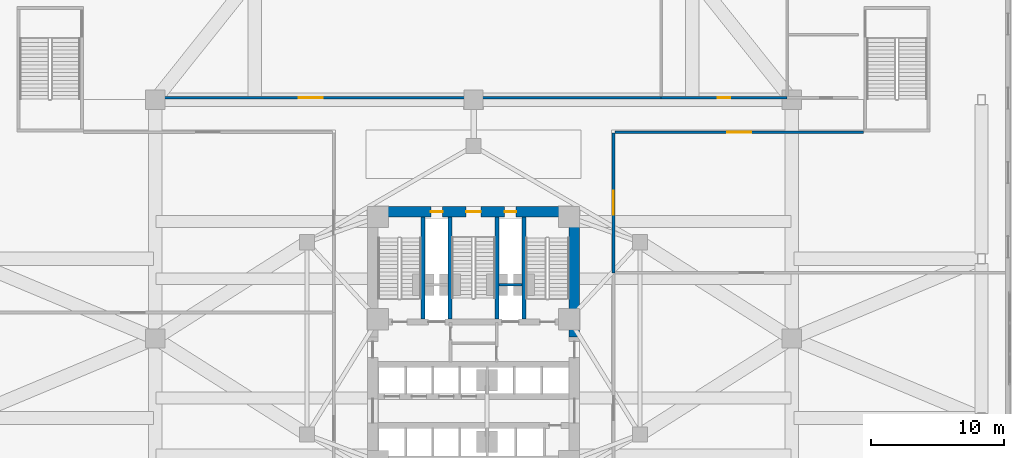
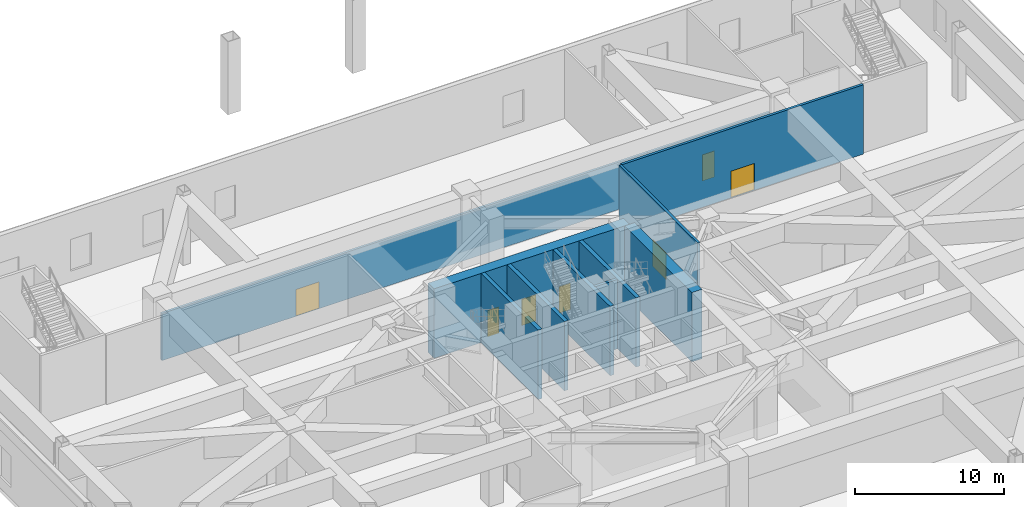
# One storey, part 13 of 24: 11 walls, 7 doors, 7 openings.
"""IFC4 building model written with IfcOpenShell, lengths in metres."""

from ifc_helpers import new_model, si_unit, direction, frame, frame_2d, origin, place, context, subcontext, project, spatial, rectangle, extrude, material, layer, layer_set, type_object, element, fill, save


model = new_model("IFC4")

# Units and contexts
model_context = context("Model", 3, precision=1e-05, world=origin(), true_north=direction((0.0, 1.0)))
body_context = subcontext(model_context, "Body", "Model", "MODEL_VIEW")
ifc_project = project(units=[si_unit("LENGTHUNIT", "METRE"), si_unit("AREAUNIT", "SQUARE_METRE"), si_unit("VOLUMEUNIT", "CUBIC_METRE"), si_unit("PLANEANGLEUNIT", "RADIAN"), si_unit("MASSUNIT", "GRAM", prefix="KILO")], contexts=[model_context])

# Site, building, storey
site_placement = place(None, origin())
site = spatial("IfcSite", under=ifc_project, at=site_placement, CompositionType="ELEMENT")
building_placement = place(site_placement, origin())
building = spatial("IfcBuilding", under=site, at=building_placement, Name="Apsidion Concourse Tower", CompositionType="ELEMENT")
storey_placement = place(building_placement, frame((0.0, 0.0, 17.5)))
storey = spatial("IfcBuildingStorey", under=building, at=storey_placement, Name="L03", CompositionType="ELEMENT", Elevation=17.5)

# Wall, opening, door
ifc_material_1 = material(Name="Gypsum plasterboard partition")
ifc_layer_1 = layer(ifc_material_1, 0.179931640625)
ifc_layer_set_1 = layer_set([ifc_layer_1], Name="Gypsum plasterboard partition")
wall_type_1 = type_object("IfcWallType", Name="WL-INT-PAR-180", PredefinedType="PARTITIONING", material=ifc_layer_set_1)
wall_1_placement = place(storey_placement, frame((-23.60009765625, 18.14990234375, 0.0), z_axis=(0.0, 0.0, 1.0), x_axis=(1.0, 0.0, 0.0)))
wall_1 = element("IfcWall", 1, at=wall_1_placement, inside=storey, type_object=wall_type_1, Name="L03 Interior Partition WL-L03-NW", PredefinedType="PARTITIONING", context=body_context, shape_type="SweptSolid", body=[
    extrude(rectangle(XDim=37.75, YDim=0.179931640625, at=frame_2d((18.875, 0.0))), origin(), (0.0, 0.0, 1.0), 3.8798828125),
])
opening_1_placement = place(wall_1_placement, frame((10.425048828125, 0.0, 0.0)))
opening_1 = element("IfcOpeningElement", 2, at=opening_1_placement, cuts=wall_1, Name="Opening D-06D", PredefinedType="OPENING", context=body_context, shape_type="SweptSolid", body=[
    extrude(rectangle(XDim=1.800048828125, YDim=2.199951171875, at=frame_2d((0.89990234375, 1.10009765625))), frame((0.0, 0.10009765625, 0.0), z_axis=(0.0, -1.0, 0.0), x_axis=(1.0, 0.0, 0.0)), (0.0, 0.0, 1.0), 0.199951171875),
])
ifc_material_2 = material(Name="Brushed stainless steel 316", Category="steel")
door_type_1 = type_object("IfcDoorType", Name="DR-INT-D06D", OperationType="DOUBLE_DOOR_SINGLE_SWING", PredefinedType="DOOR", material=ifc_material_2)
door_1_placement = place(opening_1_placement, origin())
door_1 = element("IfcDoor", 3, at=door_1_placement, inside=storey, type_object=door_type_1, Name="L03 Convention Door WL-L03-NW", OperationType="DOUBLE_DOOR_SINGLE_SWING", OverallHeight=2.199951171875, OverallWidth=1.800048828125, PredefinedType="DOOR", context=body_context, shape_type="SweptSolid", body=[
    extrude(rectangle(XDim=1.800048828125, YDim=2.199951171875, at=frame_2d((0.89990234375, 1.10009765625))), frame((0.0, 0.02490234375, 0.0), z_axis=(0.0, -1.0, 0.0), x_axis=(1.0, 0.0, 0.0)), (0.0, 0.0, 1.0), 0.050048828125),
])
fill(opening_1, door_1)

wall_2_placement = place(storey_placement, frame((14.14990234375, 18.14990234375, 0.0), z_axis=(0.0, 0.0, 1.0), x_axis=(1.0, 0.0, 0.0)))
wall_2 = element("IfcWall", 4, at=wall_2_placement, inside=storey, type_object=wall_type_1, Name="L03 Interior Partition WL-L03-WC1", PredefinedType="PARTITIONING", context=body_context, shape_type="SweptSolid", body=[
    extrude(rectangle(XDim=9.5, YDim=0.179931640625, at=frame_2d((4.75, 0.0))), origin(), (0.0, 0.0, 1.0), 3.8798828125),
])
opening_2_placement = place(wall_2_placement, frame((4.27490234375, 0.0, 0.0)))
opening_2 = element("IfcOpeningElement", 5, at=opening_2_placement, cuts=wall_2, Name="Opening D-01L", PredefinedType="OPENING", context=body_context, shape_type="SweptSolid", body=[
    extrude(rectangle(XDim=0.949951171875, YDim=2.14990234375, at=frame_2d((0.47509765625, 1.074951171875))), frame((0.0, 0.10009765625, 0.0), z_axis=(0.0, -1.0, 0.0), x_axis=(1.0, 0.0, 0.0)), (0.0, 0.0, 1.0), 0.199951171875),
])
door_type_2 = type_object("IfcDoorType", Name="DR-INT-D01L", OperationType="SINGLE_SWING_LEFT", PredefinedType="DOOR", material=ifc_material_2)
door_2_placement = place(opening_2_placement, origin())
door_2 = element("IfcDoor", 6, at=door_2_placement, inside=storey, type_object=door_type_2, Name="L03 Convention Door WL-L03-WC1", OperationType="SINGLE_SWING_LEFT", OverallHeight=2.14990234375, OverallWidth=0.949951171875, PredefinedType="DOOR", context=body_context, shape_type="SweptSolid", body=[
    extrude(rectangle(XDim=0.949951171875, YDim=2.14990234375, at=frame_2d((0.47509765625, 1.074951171875))), frame((0.0, 0.02490234375, 0.0), z_axis=(0.0, -1.0, 0.0), x_axis=(1.0, 0.0, 0.0)), (0.0, 0.0, 1.0), 0.050048828125),
])
fill(opening_2, door_2)

# Wall
ifc_layer_2 = layer(ifc_material_1, 0.199951171875)
ifc_layer_set_2 = layer_set([ifc_layer_2], Name="Gypsum plasterboard partition")
wall_type_2 = type_object("IfcWallType", Name="WL-INT-PAR-200", PredefinedType="PARTITIONING", material=ifc_layer_set_2)
wall_3_placement = place(storey_placement, frame((1.919921875, 4.050048828125, 0.0), z_axis=(0.0, 0.0, 1.0), x_axis=(1.0, 0.0, 0.0)))
element("IfcWall", 7, at=wall_3_placement, inside=storey, type_object=wall_type_2, Name="L03 Interior Partition WL-L03-FF2-N", PredefinedType="PARTITIONING", context=body_context, shape_type="SweptSolid", body=[
    extrude(rectangle(XDim=1.72998046875, YDim=0.199951171875, at=frame_2d((0.864990234375, 0.0))), origin(), (0.0, 0.0, 1.0), 5.699951171875),
])

# Wall, opening, door
wall_4_placement = place(storey_placement, frame((10.550048828125, 4.949951171875, 0.0), z_axis=(0.0, 0.0, 1.0), x_axis=(0.0, 1.0, 0.0)))
wall_4 = element("IfcWall", 8, at=wall_4_placement, inside=storey, type_object=wall_type_2, Name="L03 Interior Partition WL-L03-E2", PredefinedType="PARTITIONING", context=body_context, shape_type="SweptSolid", body=[
    extrude(rectangle(XDim=10.550048828125, YDim=0.199951171875, at=frame_2d((5.27490234375, 0.0))), origin(), (0.0, 0.0, 1.0), 5.699951171875),
])
opening_3_placement = place(wall_4_placement, frame((4.375, 0.0, 0.0)))
opening_3 = element("IfcOpeningElement", 9, at=opening_3_placement, cuts=wall_4, Name="Opening D-06D", PredefinedType="OPENING", context=body_context, shape_type="SweptSolid", body=[
    extrude(rectangle(XDim=1.800048828125, YDim=2.199951171875, at=frame_2d((0.89990234375, 1.10009765625))), frame((0.0, 0.10986328125, 0.0), z_axis=(0.0, -1.0, 0.0), x_axis=(1.0, 0.0, 0.0)), (0.0, 0.0, 1.0), 0.219970703125),
])
door_3_placement = place(opening_3_placement, origin())
door_3 = element("IfcDoor", 10, at=door_3_placement, inside=storey, type_object=door_type_1, Name="L03 Convention Door WL-L03-E2", OperationType="DOUBLE_DOOR_SINGLE_SWING", OverallHeight=2.199951171875, OverallWidth=1.800048828125, PredefinedType="DOOR", context=body_context, shape_type="SweptSolid", body=[
    extrude(rectangle(XDim=1.800048828125, YDim=2.199951171875, at=frame_2d((0.89990234375, 1.10009765625))), frame((0.0, 0.02490234375, 0.0), z_axis=(0.0, -1.0, 0.0), x_axis=(1.0, 0.0, 0.0)), (0.0, 0.0, 1.0), 0.050048828125),
])
fill(opening_3, door_3)

wall_5_placement = place(storey_placement, frame((10.64990234375, 15.550048828125, 0.0), z_axis=(0.0, 0.0, 1.0), x_axis=(1.0, 0.0, 0.0)))
wall_5 = element("IfcWall", 11, at=wall_5_placement, inside=storey, type_object=wall_type_2, Name="L03 Interior Partition WL-L03-N2", PredefinedType="PARTITIONING", context=body_context, shape_type="SweptSolid", body=[
    extrude(rectangle(XDim=18.75, YDim=0.199951171875, at=frame_2d((9.375, 0.0))), origin(), (0.0, 0.0, 1.0), 5.699951171875),
])
opening_4_placement = place(wall_5_placement, frame((8.47509765625, 0.0, 0.0)))
opening_4 = element("IfcOpeningElement", 12, at=opening_4_placement, cuts=wall_5, Name="Opening D-06D", PredefinedType="OPENING", context=body_context, shape_type="SweptSolid", body=[
    extrude(rectangle(XDim=1.800048828125, YDim=2.199951171875, at=frame_2d((0.89990234375, 1.10009765625))), frame((0.0, 0.10986328125, 0.0), z_axis=(0.0, -1.0, 0.0), x_axis=(1.0, 0.0, 0.0)), (0.0, 0.0, 1.0), 0.219970703125),
])
door_4_placement = place(opening_4_placement, origin())
door_4 = element("IfcDoor", 13, at=door_4_placement, inside=storey, type_object=door_type_1, Name="L03 Convention Door WL-L03-N2", OperationType="DOUBLE_DOOR_SINGLE_SWING", OverallHeight=2.199951171875, OverallWidth=1.800048828125, PredefinedType="DOOR", context=body_context, shape_type="SweptSolid", body=[
    extrude(rectangle(XDim=1.800048828125, YDim=2.199951171875, at=frame_2d((0.89990234375, 1.10009765625))), frame((0.0, 0.02490234375, 0.0), z_axis=(0.0, -1.0, 0.0), x_axis=(1.0, 0.0, 0.0)), (0.0, 0.0, 1.0), 0.050048828125),
])
fill(opening_4, door_4)

# Walls
ifc_material_3 = material(Name="Concrete C50/60", Category="concrete")
ifc_layer_3 = layer(ifc_material_3, 0.300048828125)
ifc_layer_set_3 = layer_set([ifc_layer_3], Name="Concrete C50/60")
wall_type_3 = type_object("IfcWallType", Name="WL-SH-300", PredefinedType="SHEAR", material=ifc_layer_set_3)
for number, where, z_axis, x_axis, name in (
    (14, (-3.800048828125, 1.449951171875, 0.0), (0.0, 0.0, 1.0), (0.0, 1.0, 0.0), "L03 Central Core Shear Wall V1"),
    (15, (-1.77490234375, 1.449951171875, 0.0), (0.0, 0.0, 1.0), (0.0, 1.0, 0.0), "L03 Central Core Shear Wall V2"),
    (16, (1.77490234375, 1.449951171875, 0.0), (0.0, 0.0, 1.0), (0.0, 1.0, 0.0), "L03 Central Core Shear Wall V3"),
    (17, (3.800048828125, 1.449951171875, 0.0), (0.0, 0.0, 1.0), (0.0, 1.0, 0.0), "L03 Central Core Shear Wall V4"),
):
    element("IfcWall", number, at=place(storey_placement, frame(where, z_axis=z_axis, x_axis=x_axis)), inside=storey, type_object=wall_type_3, Name=name, PredefinedType="SHEAR", context=body_context, shape_type="SweptSolid", body=[
        extrude(rectangle(XDim=7.699951171875, YDim=0.300048828125, at=frame_2d((3.85009765625, 0.0))), origin(), (0.0, 0.0, 1.0), 5.699951171875),
    ])

# Wall, openings, doors
ifc_material_4 = material(Name="Concrete C60/75", Category="concrete")
ifc_layer_4 = layer(ifc_material_4, 0.800048828125)
ifc_layer_set_4 = layer_set([ifc_layer_4], Name="Concrete C60/75")
wall_type_4 = type_object("IfcWallType", Name="WL-SH-800", PredefinedType="SHEAR", material=ifc_layer_set_4)
wall_6_placement = place(storey_placement, frame((-7.60009765625, 9.550048828125, 0.0), z_axis=(0.0, 0.0, 1.0), x_axis=(1.0, 0.0, 0.0)))
wall_6 = element("IfcWall", 18, at=wall_6_placement, inside=storey, type_object=wall_type_4, Name="L03 Central Core Shear Wall N", PredefinedType="SHEAR", context=body_context, shape_type="SweptSolid", body=[
    extrude(rectangle(XDim=15.2001953125, YDim=0.800048828125, at=frame_2d((7.60009765625, 0.0))), origin(), (0.0, 0.0, 1.0), 5.699951171875),
])
opening_5_placement = place(wall_6_placement, frame((7.050048828125, 0.0, 0.0)))
opening_5 = element("IfcOpeningElement", 19, at=opening_5_placement, cuts=wall_6, Name="Opening D-STL", PredefinedType="OPENING", context=body_context, shape_type="SweptSolid", body=[
    extrude(rectangle(XDim=1.10009765625, YDim=2.14990234375, at=frame_2d((0.550048828125, 1.074951171875))), frame((0.0, 0.41015625, 0.0), z_axis=(0.0, -1.0, 0.0), x_axis=(1.0, 0.0, 0.0)), (0.0, 0.0, 1.0), 0.820068359375),
])
opening_6_placement = place(wall_6_placement, frame((4.3798828125, 0.0, 0.0)))
opening_6 = element("IfcOpeningElement", 20, at=opening_6_placement, cuts=wall_6, Name="Opening D-05L", PredefinedType="OPENING", context=body_context, shape_type="SweptSolid", body=[
    extrude(rectangle(XDim=0.8798828125, YDim=2.14990234375, at=frame_2d((0.43994140625, 1.074951171875))), frame((0.0, 0.41015625, 0.0), z_axis=(0.0, -1.0, 0.0), x_axis=(1.0, 0.0, 0.0)), (0.0, 0.0, 1.0), 0.820068359375),
])
opening_7_placement = place(wall_6_placement, frame((9.93994140625, 0.0, 0.0)))
opening_7 = element("IfcOpeningElement", 21, at=opening_7_placement, cuts=wall_6, Name="Opening D-05R", PredefinedType="OPENING", context=body_context, shape_type="SweptSolid", body=[
    extrude(rectangle(XDim=0.8798828125, YDim=2.14990234375, at=frame_2d((0.43994140625, 1.074951171875))), frame((0.0, 0.41015625, 0.0), z_axis=(0.0, -1.0, 0.0), x_axis=(1.0, 0.0, 0.0)), (0.0, 0.0, 1.0), 0.820068359375),
])
door_type_3 = type_object("IfcDoorType", Name="DR-INT-D05L", OperationType="SINGLE_SWING_LEFT", PredefinedType="DOOR", material=ifc_material_2)
door_5_placement = place(opening_6_placement, origin())
door_5 = element("IfcDoor", 22, at=door_5_placement, inside=storey, type_object=door_type_3, Name="L03 Electrical Riser Shaft Access Door", OperationType="SINGLE_SWING_LEFT", OverallHeight=2.14990234375, OverallWidth=0.8798828125, PredefinedType="DOOR", context=body_context, shape_type="SweptSolid", body=[
    extrude(rectangle(XDim=0.8798828125, YDim=2.14990234375, at=frame_2d((0.43994140625, 1.074951171875))), frame((0.0, 0.02490234375, 0.0), z_axis=(0.0, -1.0, 0.0), x_axis=(1.0, 0.0, 0.0)), (0.0, 0.0, 1.0), 0.050048828125),
])
fill(opening_6, door_5)
door_type_4 = type_object("IfcDoorType", Name="DR-INT-D05R", OperationType="SINGLE_SWING_RIGHT", PredefinedType="DOOR", material=ifc_material_2)
door_6_placement = place(opening_7_placement, origin())
door_6 = element("IfcDoor", 23, at=door_6_placement, inside=storey, type_object=door_type_4, Name="L03 Mechanical Riser Shaft Access Door", OperationType="SINGLE_SWING_RIGHT", OverallHeight=2.14990234375, OverallWidth=0.8798828125, PredefinedType="DOOR", context=body_context, shape_type="SweptSolid", body=[
    extrude(rectangle(XDim=0.8798828125, YDim=2.14990234375, at=frame_2d((0.43994140625, 1.074951171875))), frame((0.0, 0.02490234375, 0.0), z_axis=(0.0, -1.0, 0.0), x_axis=(1.0, 0.0, 0.0)), (0.0, 0.0, 1.0), 0.050048828125),
])
fill(opening_7, door_6)
door_type_5 = type_object("IfcDoorType", Name="DR-INT-ST1L", OperationType="SINGLE_SWING_LEFT", PredefinedType="DOOR", material=ifc_material_2)
door_7_placement = place(opening_5_placement, origin())
door_7 = element("IfcDoor", 24, at=door_7_placement, inside=storey, type_object=door_type_5, Name="L03 Core Exit Stair ST3 Door", OperationType="SINGLE_SWING_LEFT", OverallHeight=2.14990234375, OverallWidth=1.10009765625, PredefinedType="DOOR", context=body_context, shape_type="SweptSolid", body=[
    extrude(rectangle(XDim=1.10009765625, YDim=2.14990234375, at=frame_2d((0.550048828125, 1.074951171875))), frame((0.0, 0.02490234375, 0.0), z_axis=(0.0, -1.0, 0.0), x_axis=(1.0, 0.0, 0.0)), (0.0, 0.0, 1.0), 0.050048828125),
])
fill(opening_5, door_7)

# Wall
wall_7_placement = place(storey_placement, frame((7.60009765625, 0.10009765625, 0.0), z_axis=(0.0, 0.0, 1.0), x_axis=(0.0, 1.0, 0.0)))
element("IfcWall", 25, at=wall_7_placement, inside=storey, type_object=wall_type_4, Name="L03 Central Core Shear Wall EN", PredefinedType="SHEAR", context=body_context, shape_type="SweptSolid", body=[
    extrude(rectangle(XDim=9.0498046875, YDim=0.800048828125, at=frame_2d((4.52490234375, 0.0))), origin(), (0.0, 0.0, 1.0), 5.699951171875),
])

save(model, "model.ifc")
